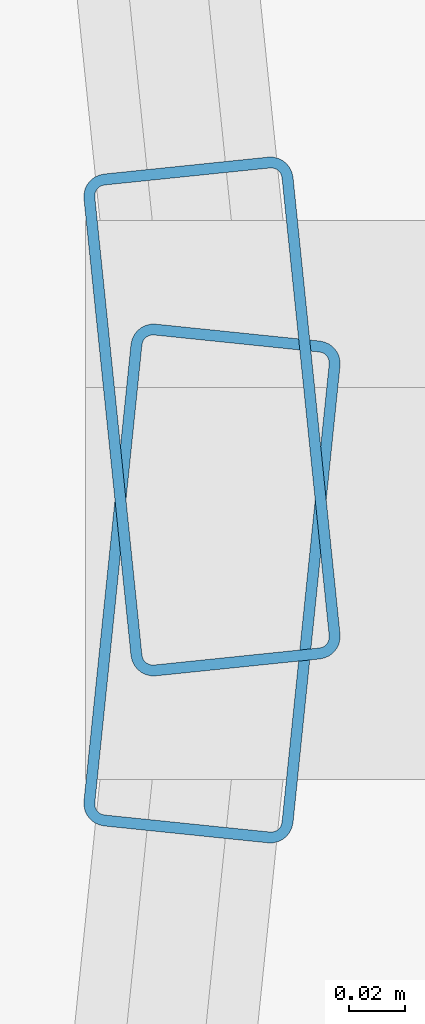
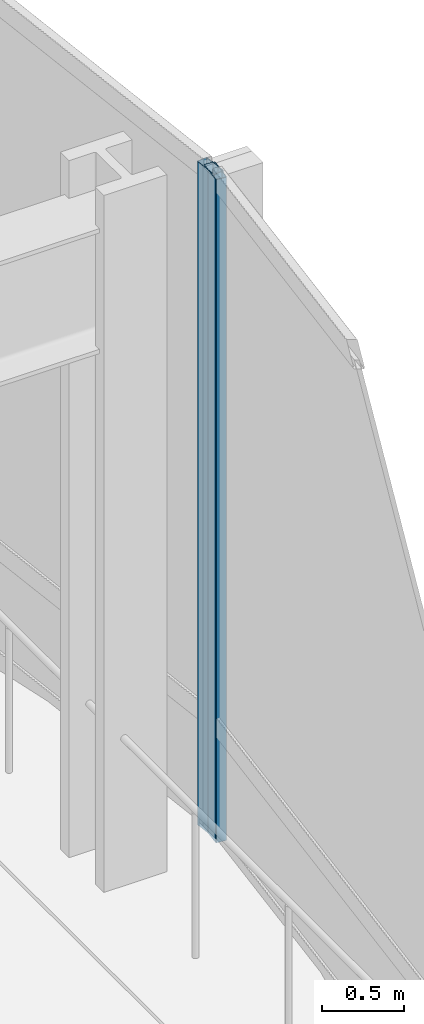
# One storey, part 23 of 37: 2 members, 2 elements without a shape of their own.
"""IFC4 building model written with IfcOpenShell, lengths in metres."""

from ifc_helpers import new_model, si_unit, direction, frame, origin, origin_2d, place, context, subcontext, project, spatial, hollow_rectangle, extrude, material, layer, layer_set, material_profile, profile_set, type_object, element, aggregate, save


model = new_model("IFC4")

# Units and contexts
model_context = context("Model", 3, precision=1e-05, world=origin(), true_north=direction((0.0, 1.0)))
body_context = subcontext(model_context, "Body", "Model", "MODEL_VIEW")
ifc_project = project(units=[si_unit("LENGTHUNIT", "METRE"), si_unit("AREAUNIT", "SQUARE_METRE"), si_unit("VOLUMEUNIT", "CUBIC_METRE"), si_unit("PLANEANGLEUNIT", "RADIAN"), si_unit("MASSUNIT", "GRAM", prefix="KILO")], contexts=[model_context])

# Site, building, storey
site_placement = place(None, origin())
site = spatial("IfcSite", under=ifc_project, at=site_placement, CompositionType="ELEMENT")
building_placement = place(site_placement, origin())
building = spatial("IfcBuilding", under=site, at=building_placement, Name="Solvaryn Broadcast Tower", CompositionType="ELEMENT")
storey_placement = place(building_placement, frame((0.0, 0.0, 30.800048828125)))
storey = spatial("IfcBuildingStorey", under=building, at=storey_placement, Name="L06", CompositionType="ELEMENT", Elevation=30.800048828125)

# Curtain wall, member
ifc_material_1 = material(Name="Aluminium and Terracotta Unitised Curtain Wall", Category="masonry")
ifc_layer = layer(ifc_material_1, 0.199951171875)
ifc_layer_set = layer_set([ifc_layer], Name="CW-SYS2-LOWMID")
curtain_wall_type = type_object("IfcCurtainWallType", Name="CW-SYS2-LOWMID", PredefinedType="NOTDEFINED", material=ifc_layer_set)
curtain_wall_1_placement = place(storey_placement, origin())
curtain_wall_1 = element("IfcCurtainWall", 1, at=curtain_wall_1_placement, inside=storey, type_object=curtain_wall_type, Name="L06 Curtain Wall ET1", PredefinedType="NOTDEFINED")
ifc_material_2 = material(Name="Anodised Aluminium 6063-T6", Category="aluminium")
ifc_material_profile = material_profile(ifc_material_2, hollow_rectangle(XDim=0.074951171875, YDim=0.179931640625, WallThickness=0.00390625, InnerFilletRadius=0.00390625, OuterFilletRadius=0.008056640625, at=origin_2d()))
ifc_profile_set = profile_set([ifc_material_profile], Name="Anodised Aluminium 6063-T6")
member_type = type_object("IfcMemberType", Name="CW-MUL-180", PredefinedType="MULLION", material=ifc_profile_set)
member_1_placement = place(storey_placement, frame((63.697021484375, 18.02978515625, 0.0), z_axis=(0.0, 0.0, 1.0), x_axis=(0.99474329889, 0.10240004548, 0.0)))
member_1 = element("IfcMember", 2, at=member_1_placement, type_object=member_type, Name="CWS2 mullion 2", PredefinedType="MULLION", context=body_context, shape_type="SweptSolid", body=[
    extrude(hollow_rectangle(XDim=0.074951171875, YDim=0.179931640625, WallThickness=0.00390625, InnerFilletRadius=0.00390625, OuterFilletRadius=0.008056640625, at=origin_2d()), origin(), (0.0, 0.0, 1.0), 4.919921875),
])
aggregate(curtain_wall_1, [member_1])

curtain_wall_2_placement = place(storey_placement, origin())
curtain_wall_2 = element("IfcCurtainWall", 3, at=curtain_wall_2_placement, inside=storey, type_object=curtain_wall_type, Name="L06 Curtain Wall ET2", PredefinedType="NOTDEFINED")
member_2_placement = place(storey_placement, frame((63.697021484375, 17.97021484375, 0.0), z_axis=(0.0, 0.0, 1.0), x_axis=(0.99474329889, -0.10240004548, 0.0)))
member_2 = element("IfcMember", 4, at=member_2_placement, type_object=member_type, Name="CWS2 mullion 1", PredefinedType="MULLION", context=body_context, shape_type="SweptSolid", body=[
    extrude(hollow_rectangle(XDim=0.074951171875, YDim=0.179931640625, WallThickness=0.00390625, InnerFilletRadius=0.00390625, OuterFilletRadius=0.008056640625, at=origin_2d()), origin(), (0.0, 0.0, 1.0), 4.919921875),
])
aggregate(curtain_wall_2, [member_2])

save(model, "model.ifc")
